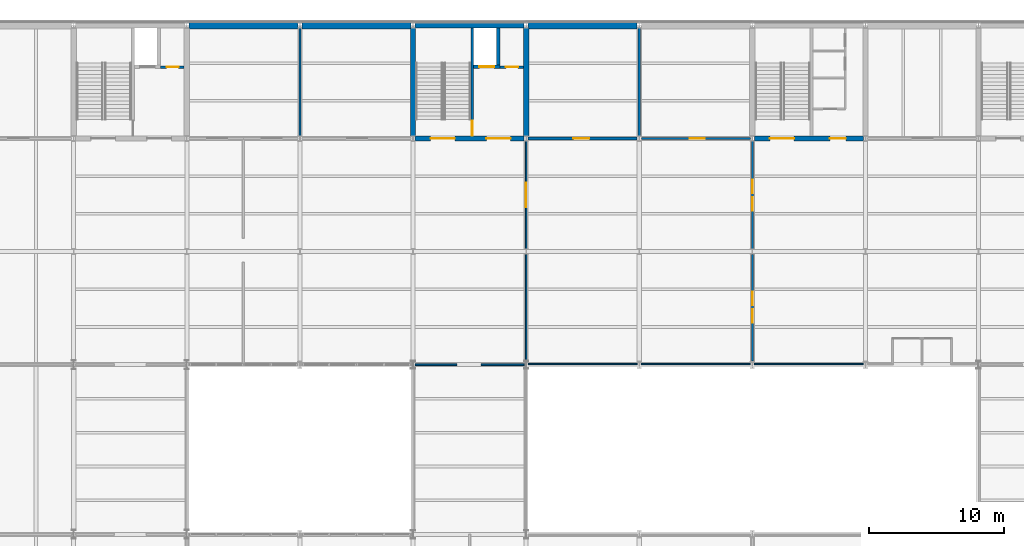
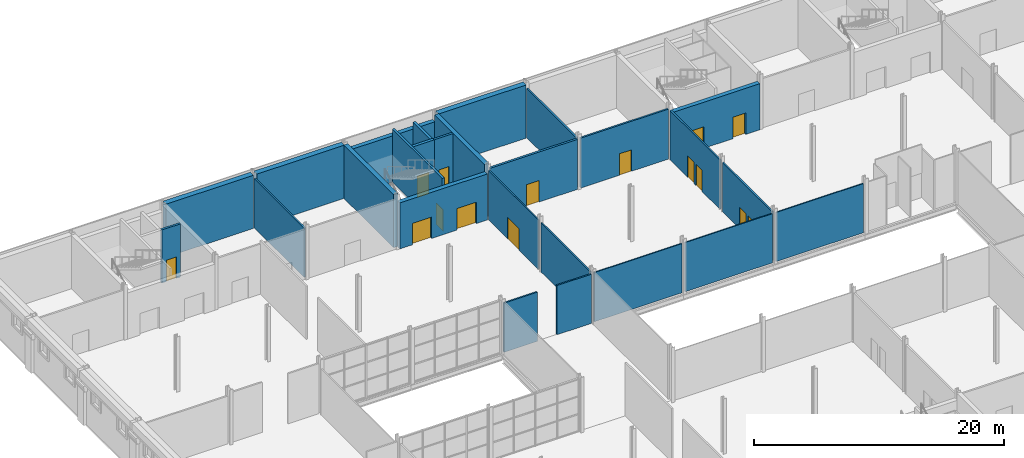
# One storey, part 31 of 57: 26 walls, 15 doors, 15 openings.
"""IFC4 building model written with IfcOpenShell, lengths in metres."""

from ifc_helpers import new_model, si_unit, direction, frame, frame_2d, origin, place, context, subcontext, project, spatial, rectangle, extrude, material, layer, layer_set, type_object, element, fill, save


model = new_model("IFC4")

# Units and contexts
model_context = context("Model", 3, precision=1e-05, world=origin(), true_north=direction((0.0, 1.0)))
body_context = subcontext(model_context, "Body", "Model", "MODEL_VIEW")
ifc_project = project(units=[si_unit("LENGTHUNIT", "METRE"), si_unit("AREAUNIT", "SQUARE_METRE"), si_unit("VOLUMEUNIT", "CUBIC_METRE"), si_unit("PLANEANGLEUNIT", "RADIAN"), si_unit("MASSUNIT", "GRAM", prefix="KILO")], contexts=[model_context])

# Site, building, storey
site_placement = place(None, origin())
site = spatial("IfcSite", under=ifc_project, at=site_placement, CompositionType="ELEMENT")
building_placement = place(site_placement, origin())
building = spatial("IfcBuilding", under=site, at=building_placement, Name="Galleria Vessillo Department Store", CompositionType="ELEMENT")
storey_placement = place(building_placement, frame((0.0, 0.0, 25.800048828125)))
storey = spatial("IfcBuildingStorey", under=building, at=storey_placement, Name="L05", CompositionType="ELEMENT", Elevation=25.800048828125)

# Wall
ifc_material_1 = material(Name="Insulated steel panel", Category="steel")
ifc_layer_1 = layer(ifc_material_1, 0.159912109375)
ifc_layer_set_1 = layer_set([ifc_layer_1], Name="Insulated steel panel")
wall_type_1 = type_object("IfcWallType", Name="Cold store insulated panel wall 160 mm", PredefinedType="PARTITIONING", material=ifc_layer_set_1)
wall_1_placement = place(storey_placement, frame((50.39990234375, 54.800048828125, 0.0), z_axis=(0.0, 0.0, 1.0), x_axis=(0.0, 1.0, 0.0)))
element("IfcWall", 1, at=wall_1_placement, inside=storey, type_object=wall_type_1, Name="Partition wall PT5 on L05 no. 030", PredefinedType="PARTITIONING", context=body_context, shape_type="SweptSolid", body=[
    extrude(rectangle(XDim=8.0, YDim=0.159912109375, at=frame_2d((4.0, 0.0))), origin(), (0.0, 0.0, 1.0), 4.809814453125),
])

# Wall, opening, door
wall_2_placement = place(storey_placement, frame((50.5498046875, 54.60009765625, 0.0), z_axis=(0.0, 0.0, 1.0), x_axis=(1.0, 0.0, 0.0)))
wall_2 = element("IfcWall", 2, at=wall_2_placement, inside=storey, type_object=wall_type_1, Name="Partition wall PT5 on L05 no. 032", PredefinedType="PARTITIONING", context=body_context, shape_type="SweptSolid", body=[
    extrude(rectangle(XDim=8.100341796875, YDim=0.159912109375, at=frame_2d((4.05029296875, 0.0))), origin(), (0.0, 0.0, 1.0), 4.889892578125),
])
opening_1_placement = place(wall_2_placement, frame((3.60009765625, 0.0, 0.0)))
opening_1 = element("IfcOpeningElement", 3, at=opening_1_placement, cuts=wall_2, Name="Opening D2721", PredefinedType="OPENING", context=body_context, shape_type="SweptSolid", body=[
    extrude(rectangle(XDim=1.10009765625, YDim=2.10009765625, at=frame_2d((0.550048828125, 1.050048828125))), frame((0.0, 0.08984375, 0.0), z_axis=(0.0, -1.0, 0.0), x_axis=(1.0, 0.0, 0.0)), (0.0, 0.0, 1.0), 0.179931640625),
])
ifc_material_2 = material(Name="Steel fire door leaf", Category="steel")
door_type_1 = type_object("IfcDoorType", Name="Cold store insulated fire door 1100", OperationType="SINGLE_SWING_LEFT", PredefinedType="DOOR", material=ifc_material_2)
door_1_placement = place(opening_1_placement, origin())
door_1 = element("IfcDoor", 4, at=door_1_placement, inside=storey, type_object=door_type_1, Name="Door D2721", OperationType="SINGLE_SWING_RIGHT", OverallHeight=2.10009765625, OverallWidth=1.10009765625, PredefinedType="DOOR", context=body_context, shape_type="SweptSolid", body=[
    extrude(rectangle(XDim=1.10009765625, YDim=2.10009765625, at=frame_2d((0.550048828125, 1.050048828125))), frame((0.0, 0.02490234375, 0.0), z_axis=(0.0, -1.0, 0.0), x_axis=(1.0, 0.0, 0.0)), (0.0, 0.0, 1.0), 0.050048828125),
])
fill(opening_1, door_1)

# Wall, openings, doors
ifc_material_3 = material(Name="Concrete blockwork", Category="masonry")
ifc_layer_2 = layer(ifc_material_3, 0.14990234375)
ifc_layer_set_2 = layer_set([ifc_layer_2], Name="Concrete blockwork")
wall_type_2 = type_object("IfcWallType", Name="Fire-resisting dividing wall EI 120 150 mm", PredefinedType="SOLIDWALL", material=ifc_layer_set_2)
wall_3_placement = place(storey_placement, frame((58.800048828125, 38.06201171875, 0.0), z_axis=(0.0, 0.0, 1.0), x_axis=(0.0, 1.0, 0.0)))
wall_3 = element("IfcWall", 5, at=wall_3_placement, inside=storey, type_object=wall_type_2, Name="Partition wall PT12 on L05 no. 065", PredefinedType="SOLIDWALL", context=body_context, shape_type="SweptSolid", body=[
    extrude(rectangle(XDim=7.93798828125, YDim=0.14990234375, at=frame_2d((3.968994140625, 0.0))), origin(), (0.0, 0.0, 1.0), 4.809814453125),
])
opening_2_placement = place(wall_3_placement, frame((2.85009765625, 0.0, 0.0)))
opening_2 = element("IfcOpeningElement", 6, at=opening_2_placement, cuts=wall_3, Name="Opening D2730", PredefinedType="OPENING", context=body_context, shape_type="SweptSolid", body=[
    extrude(rectangle(XDim=1.0, YDim=2.10009765625, at=frame_2d((0.5, 1.050048828125))), frame((0.0, 0.0849609375, 0.0), z_axis=(0.0, -1.0, 0.0), x_axis=(1.0, 0.0, 0.0)), (0.0, 0.0, 1.0), 0.169921875),
])
opening_3_placement = place(wall_3_placement, frame((4.14990234375, 0.0, 0.0)))
opening_3 = element("IfcOpeningElement", 7, at=opening_3_placement, cuts=wall_3, Name="Opening D2731", PredefinedType="OPENING", context=body_context, shape_type="SweptSolid", body=[
    extrude(rectangle(XDim=1.0, YDim=2.10009765625, at=frame_2d((0.5, 1.050048828125))), frame((0.0, 0.0849609375, 0.0), z_axis=(0.0, -1.0, 0.0), x_axis=(1.0, 0.0, 0.0)), (0.0, 0.0, 1.0), 0.169921875),
])
ifc_material_4 = material(Name="Steel fire door leaf", Category="steel")
door_type_2 = type_object("IfcDoorType", Name="Fire door EI2 120-Sa 1000 single leaf", OperationType="SINGLE_SWING_LEFT", PredefinedType="DOOR", material=ifc_material_4)
door_2_placement = place(opening_2_placement, origin())
door_2 = element("IfcDoor", 8, at=door_2_placement, inside=storey, type_object=door_type_2, Name="Door D2730", OperationType="SINGLE_SWING_LEFT", OverallHeight=2.10009765625, OverallWidth=1.0, PredefinedType="DOOR", context=body_context, shape_type="SweptSolid", body=[
    extrude(rectangle(XDim=1.0, YDim=2.10009765625, at=frame_2d((0.5, 1.050048828125))), frame((0.0, 0.02490234375, 0.0), z_axis=(0.0, -1.0, 0.0), x_axis=(1.0, 0.0, 0.0)), (0.0, 0.0, 1.0), 0.050048828125),
])
fill(opening_2, door_2)
door_3_placement = place(opening_3_placement, frame((1.0, 0.0, 0.0), z_axis=(0.0, 0.0, 1.0), x_axis=(-1.0, 0.0, 0.0)))
door_3 = element("IfcDoor", 9, at=door_3_placement, inside=storey, type_object=door_type_2, Name="Door D2731", OperationType="SINGLE_SWING_RIGHT", OverallHeight=2.10009765625, OverallWidth=1.0, PredefinedType="DOOR", context=body_context, shape_type="SweptSolid", body=[
    extrude(rectangle(XDim=1.0, YDim=2.10009765625, at=frame_2d((0.5, 1.050048828125))), frame((0.0, 0.02490234375, 0.0), z_axis=(0.0, -1.0, 0.0), x_axis=(1.0, 0.0, 0.0)), (0.0, 0.0, 1.0), 0.050048828125),
])
fill(opening_3, door_3)

wall_4_placement = place(storey_placement, frame((58.800048828125, 46.39990234375, 0.0), z_axis=(0.0, 0.0, 1.0), x_axis=(0.0, 1.0, 0.0)))
wall_4 = element("IfcWall", 10, at=wall_4_placement, inside=storey, type_object=wall_type_2, Name="Partition wall PT12 on L05 no. 066", PredefinedType="SOLIDWALL", context=body_context, shape_type="SweptSolid", body=[
    extrude(rectangle(XDim=8.000244140625, YDim=0.14990234375, at=frame_2d((4.0, 0.0))), origin(), (0.0, 0.0, 1.0), 4.809814453125),
])
opening_4_placement = place(wall_4_placement, frame((2.85009765625, 0.0, 0.0)))
opening_4 = element("IfcOpeningElement", 11, at=opening_4_placement, cuts=wall_4, Name="Opening D2732", PredefinedType="OPENING", context=body_context, shape_type="SweptSolid", body=[
    extrude(rectangle(XDim=1.0, YDim=2.10009765625, at=frame_2d((0.5, 1.050048828125))), frame((0.0, 0.0849609375, 0.0), z_axis=(0.0, -1.0, 0.0), x_axis=(1.0, 0.0, 0.0)), (0.0, 0.0, 1.0), 0.169921875),
])
opening_5_placement = place(wall_4_placement, frame((4.14990234375, 0.0, 0.0)))
opening_5 = element("IfcOpeningElement", 12, at=opening_5_placement, cuts=wall_4, Name="Opening D2733", PredefinedType="OPENING", context=body_context, shape_type="SweptSolid", body=[
    extrude(rectangle(XDim=1.0, YDim=2.10009765625, at=frame_2d((0.5, 1.050048828125))), frame((0.0, 0.0849609375, 0.0), z_axis=(0.0, -1.0, 0.0), x_axis=(1.0, 0.0, 0.0)), (0.0, 0.0, 1.0), 0.169921875),
])
door_4_placement = place(opening_4_placement, origin())
door_4 = element("IfcDoor", 13, at=door_4_placement, inside=storey, type_object=door_type_2, Name="Door D2732", OperationType="SINGLE_SWING_RIGHT", OverallHeight=2.10009765625, OverallWidth=1.0, PredefinedType="DOOR", context=body_context, shape_type="SweptSolid", body=[
    extrude(rectangle(XDim=1.0, YDim=2.10009765625, at=frame_2d((0.5, 1.050048828125))), frame((0.0, 0.02490234375, 0.0), z_axis=(0.0, -1.0, 0.0), x_axis=(1.0, 0.0, 0.0)), (0.0, 0.0, 1.0), 0.050048828125),
])
fill(opening_4, door_4)
door_5_placement = place(opening_5_placement, frame((1.0, 0.0, 0.0), z_axis=(0.0, 0.0, 1.0), x_axis=(-1.0, 0.0, 0.0)))
door_5 = element("IfcDoor", 14, at=door_5_placement, inside=storey, type_object=door_type_2, Name="Door D2733", OperationType="SINGLE_SWING_LEFT", OverallHeight=2.10009765625, OverallWidth=1.0, PredefinedType="DOOR", context=body_context, shape_type="SweptSolid", body=[
    extrude(rectangle(XDim=1.0, YDim=2.10009765625, at=frame_2d((0.5, 1.050048828125))), frame((0.0, 0.02490234375, 0.0), z_axis=(0.0, -1.0, 0.0), x_axis=(1.0, 0.0, 0.0)), (0.0, 0.0, 1.0), 0.050048828125),
])
fill(opening_5, door_5)

# Walls
ifc_material_5 = material(Name="Fire-resisting glass in steel frame S355 J2", Category="steel")
ifc_layer_3 = layer(ifc_material_5, 0.10009765625)
ifc_layer_set_3 = layer_set([ifc_layer_3], Name="Fire-resisting glass in steel frame S355 J2")
wall_type_3 = type_object("IfcWallType", Name="Fire-resisting glazed screen EI 120-Sa 100 mm", PredefinedType="PARTITIONING", material=ifc_layer_set_3)
wall_5_placement = place(storey_placement, frame((42.152587890625, 37.85009765625, 0.0), z_axis=(0.0, 0.0, 1.0), x_axis=(1.0, 0.0, 0.0)))
element("IfcWall", 15, at=wall_5_placement, inside=storey, type_object=wall_type_3, Name="Fire screen, atrium edge L05", PredefinedType="PARTITIONING", context=body_context, shape_type="SweptSolid", body=[
    extrude(rectangle(XDim=8.094482421875, YDim=0.10009765625, at=frame_2d((4.04736328125, 0.0))), origin(), (0.0, 0.0, 1.0), 4.809814453125),
])
wall_6_placement = place(storey_placement, frame((50.552978515625, 37.85009765625, 0.0), z_axis=(0.0, 0.0, 1.0), x_axis=(1.0, 0.0, 0.0)))
element("IfcWall", 16, at=wall_6_placement, inside=storey, type_object=wall_type_3, Name="Fire screen, atrium edge L05", PredefinedType="PARTITIONING", context=body_context, shape_type="SweptSolid", body=[
    extrude(rectangle(XDim=8.093994140625, YDim=0.10009765625, at=frame_2d((4.046875, 0.0))), origin(), (0.0, 0.0, 1.0), 4.809814453125),
])
wall_7_placement = place(storey_placement, frame((58.952880859375, 37.85009765625, 0.0), z_axis=(0.0, 0.0, 1.0), x_axis=(1.0, 0.0, 0.0)))
element("IfcWall", 17, at=wall_7_placement, inside=storey, type_object=wall_type_3, Name="Fire screen, atrium edge L05", PredefinedType="PARTITIONING", context=body_context, shape_type="SweptSolid", body=[
    extrude(rectangle(XDim=8.09423828125, YDim=0.10009765625, at=frame_2d((4.047119140625, 0.0))), origin(), (0.0, 0.0, 1.0), 4.809814453125),
])

# Wall, opening, door
ifc_material_6 = material(Name="Concrete blockwork", Category="masonry")
ifc_layer_4 = layer(ifc_material_6, 0.199951171875)
ifc_layer_set_4 = layer_set([ifc_layer_4], Name="Concrete blockwork")
wall_type_4 = type_object("IfcWallType", Name="Kitchen blockwork wall 200 mm", PredefinedType="SOLIDWALL", material=ifc_layer_set_4)
wall_8_placement = place(storey_placement, frame((42.14990234375, 54.60009765625, 0.0), z_axis=(0.0, 0.0, 1.0), x_axis=(1.0, 0.0, 0.0)))
wall_8 = element("IfcWall", 18, at=wall_8_placement, inside=storey, type_object=wall_type_4, Name="Partition wall PT8 on L05 no. 031", PredefinedType="SOLIDWALL", context=body_context, shape_type="SweptSolid", body=[
    extrude(rectangle(XDim=8.10009765625, YDim=0.199951171875, at=frame_2d((4.050048828125, 0.0))), origin(), (0.0, 0.0, 1.0), 4.889892578125),
])
opening_6_placement = place(wall_8_placement, frame((3.35009765625, 0.0, 0.0)))
opening_6 = element("IfcOpeningElement", 19, at=opening_6_placement, cuts=wall_8, Name="Opening D2720", PredefinedType="OPENING", context=body_context, shape_type="SweptSolid", body=[
    extrude(rectangle(XDim=1.199951171875, YDim=2.10009765625, at=frame_2d((0.60009765625, 1.050048828125))), frame((0.0, 0.10986328125, 0.0), z_axis=(0.0, -1.0, 0.0), x_axis=(1.0, 0.0, 0.0)), (0.0, 0.0, 1.0), 0.219970703125),
])
ifc_material_7 = material(Name="Steel fire door leaf", Category="steel")
door_type_3 = type_object("IfcDoorType", Name="Kitchen fire door 1200", OperationType="SINGLE_SWING_LEFT", PredefinedType="DOOR", material=ifc_material_7)
door_6_placement = place(opening_6_placement, origin())
door_6 = element("IfcDoor", 20, at=door_6_placement, inside=storey, type_object=door_type_3, Name="Door D2720", OperationType="SINGLE_SWING_LEFT", OverallHeight=2.10009765625, OverallWidth=1.199951171875, PredefinedType="DOOR", context=body_context, shape_type="SweptSolid", body=[
    extrude(rectangle(XDim=1.199951171875, YDim=2.10009765625, at=frame_2d((0.60009765625, 1.050048828125))), frame((0.0, 0.02490234375, 0.0), z_axis=(0.0, -1.0, 0.0), x_axis=(1.0, 0.0, 0.0)), (0.0, 0.0, 1.0), 0.050048828125),
])
fill(opening_6, door_6)

ifc_material_8 = material(Name="Solid clay block masonry", Category="masonry")
ifc_layer_5 = layer(ifc_material_8, 0.25)
ifc_layer_set_5 = layer_set([ifc_layer_5], Name="Solid clay block masonry")
wall_type_5 = type_object("IfcWallType", Name="Lift shaft wall 250 mm", PredefinedType="SOLIDWALL", material=ifc_layer_set_5)
wall_9_placement = place(storey_placement, frame((38.10009765625, 59.925048828125, 0.0), z_axis=(0.0, 0.0, 1.0), x_axis=(1.0, 0.0, 0.0)))
wall_9 = element("IfcWall", 21, at=wall_9_placement, inside=storey, type_object=wall_type_5, Name="Lift shaft wall LP4 landing side L05", PredefinedType="SOLIDWALL", context=body_context, shape_type="SweptSolid", body=[
    extrude(rectangle(XDim=1.949951171875, YDim=0.25, at=frame_2d((0.97509765625, 0.0))), origin(), (0.0, 0.0, 1.0), 5.199951171875),
])
opening_7_placement = place(wall_9_placement, frame((0.4248046875, 0.0, 0.0)))
opening_7 = element("IfcOpeningElement", 22, at=opening_7_placement, cuts=wall_9, Name="Opening LD032", PredefinedType="OPENING", context=body_context, shape_type="SweptSolid", body=[
    extrude(rectangle(XDim=1.10009765625, YDim=2.10009765625, at=frame_2d((0.550048828125, 1.050048828125))), frame((0.0, 0.135009765625, 0.0), z_axis=(0.0, -1.0, 0.0), x_axis=(1.0, 0.0, 0.0)), (0.0, 0.0, 1.0), 0.27001953125),
])
ifc_material_9 = material(Name="Stainless steel lift door panel", Category="steel")
door_type_4 = type_object("IfcDoorType", Name="Lift landing door LD110 sliding 1100 x 2100", OperationType="SLIDING_TO_LEFT", PredefinedType="DOOR", material=ifc_material_9)
door_7_placement = place(opening_7_placement, frame((1.10009765625, 0.0, 0.0), z_axis=(0.0, 0.0, 1.0), x_axis=(-1.0, 0.0, 0.0)))
door_7 = element("IfcDoor", 23, at=door_7_placement, inside=storey, type_object=door_type_4, Name="Lift landing door LP4 L05", OperationType="SLIDING_TO_RIGHT", OverallHeight=2.10009765625, OverallWidth=1.10009765625, PredefinedType="DOOR", context=body_context, shape_type="SweptSolid", body=[
    extrude(rectangle(XDim=1.10009765625, YDim=2.10009765625, at=frame_2d((0.550048828125, 1.050048828125))), frame((0.0, 0.02490234375, 0.0), z_axis=(0.0, -1.0, 0.0), x_axis=(1.0, 0.0, 0.0)), (0.0, 0.0, 1.0), 0.050048828125),
])
fill(opening_7, door_7)

# Walls
wall_10_placement = place(storey_placement, frame((39.925048828125, 62.800048828125, 0.0), z_axis=(0.0, 0.0, 1.0), x_axis=(0.0, -1.0, 0.0)))
element("IfcWall", 24, at=wall_10_placement, inside=storey, type_object=wall_type_5, Name="Lift shaft wall LP4 L05", PredefinedType="SOLIDWALL", context=body_context, shape_type="SweptSolid", body=[
    extrude(rectangle(XDim=2.75, YDim=0.25, at=frame_2d((1.375, 0.0))), origin(), (0.0, 0.0, 1.0), 5.199951171875),
])
ifc_material_10 = material(Name="Gypsum board partition")
ifc_layer_6 = layer(ifc_material_10, 0.125)
ifc_layer_set_6 = layer_set([ifc_layer_6], Name="Gypsum board partition")
wall_type_6 = type_object("IfcWallType", Name="Office partition 125 mm", PredefinedType="PARTITIONING", material=ifc_layer_set_6)
wall_11_placement = place(storey_placement, frame((42.0, 38.110107421875, 0.0), z_axis=(0.0, 0.0, 1.0), x_axis=(0.0, 1.0, 0.0)))
element("IfcWall", 25, at=wall_11_placement, inside=storey, type_object=wall_type_6, Name="Partition wall PT2 on L05 no. 061", PredefinedType="PARTITIONING", context=body_context, shape_type="SweptSolid", body=[
    extrude(rectangle(XDim=7.889892578125, YDim=0.125, at=frame_2d((3.94482421875, 0.0))), origin(), (0.0, 0.0, 1.0), 4.809814453125),
])

# Wall, opening, door
wall_12_placement = place(storey_placement, frame((42.0, 46.39990234375, 0.0), z_axis=(0.0, 0.0, 1.0), x_axis=(0.0, 1.0, 0.0)))
wall_12 = element("IfcWall", 26, at=wall_12_placement, inside=storey, type_object=wall_type_6, Name="Partition wall PT2 on L05 no. 062", PredefinedType="PARTITIONING", context=body_context, shape_type="SweptSolid", body=[
    extrude(rectangle(XDim=8.000244140625, YDim=0.125, at=frame_2d((4.0, 0.0))), origin(), (0.0, 0.0, 1.0), 4.809814453125),
])
opening_8_placement = place(wall_12_placement, frame((3.10009765625, 0.0, 0.0)))
opening_8 = element("IfcOpeningElement", 27, at=opening_8_placement, cuts=wall_12, Name="Opening D2729", PredefinedType="OPENING", context=body_context, shape_type="SweptSolid", body=[
    extrude(rectangle(XDim=1.800048828125, YDim=2.10009765625, at=frame_2d((0.89990234375, 1.050048828125))), frame((0.0, 0.072509765625, 0.0), z_axis=(0.0, -1.0, 0.0), x_axis=(1.0, 0.0, 0.0)), (0.0, 0.0, 1.0), 0.14501953125),
])
ifc_material_11 = material(Name="Timber and glass door leaf", Category="wood")
door_type_5 = type_object("IfcDoorType", Name="Floor door 1800 double leaf", OperationType="DOUBLE_DOOR_SINGLE_SWING", PredefinedType="DOOR", material=ifc_material_11)
door_8_placement = place(opening_8_placement, origin())
door_8 = element("IfcDoor", 28, at=door_8_placement, inside=storey, type_object=door_type_5, Name="Door D2729", OperationType="DOUBLE_DOOR_SINGLE_SWING", OverallHeight=2.10009765625, OverallWidth=1.800048828125, PredefinedType="DOOR", context=body_context, shape_type="SweptSolid", body=[
    extrude(rectangle(XDim=1.800048828125, YDim=2.10009765625, at=frame_2d((0.89990234375, 1.050048828125))), frame((0.0, 0.02490234375, 0.0), z_axis=(0.0, -1.0, 0.0), x_axis=(1.0, 0.0, 0.0)), (0.0, 0.0, 1.0), 0.050048828125),
])
fill(opening_8, door_8)

# Wall, openings, doors
ifc_material_12 = material(Name="Concrete C32/40 reinforced", Category="concrete")
ifc_layer_7 = layer(ifc_material_12, 0.39990234375)
ifc_layer_set_7 = layer_set([ifc_layer_7], Name="Concrete C32/40 reinforced")
wall_type_7 = type_object("IfcWallType", Name="Reinforced concrete core wall 400 mm", PredefinedType="SHEAR", material=ifc_layer_set_7)
wall_13_placement = place(storey_placement, frame((33.75, 54.60009765625, 0.0), z_axis=(0.0, 0.0, 1.0), x_axis=(1.0, 0.0, 0.0)))
wall_13 = element("IfcWall", 29, at=wall_13_placement, inside=storey, type_object=wall_type_7, Name="S-CW-PC-NM-INTERIOR-L05", PredefinedType="SHEAR", context=body_context, shape_type="SweptSolid", body=[
    extrude(rectangle(XDim=8.10009765625, YDim=0.39990234375, at=frame_2d((4.050048828125, 0.0))), origin(), (0.0, 0.0, 1.0), 4.510009765625),
])
opening_9_placement = place(wall_13_placement, frame((1.14990234375, 0.0, 0.0)))
opening_9 = element("IfcOpeningElement", 30, at=opening_9_placement, cuts=wall_13, Name="Opening D5125", PredefinedType="OPENING", context=body_context, shape_type="SweptSolid", body=[
    extrude(rectangle(XDim=1.800048828125, YDim=2.10009765625, at=frame_2d((0.89990234375, 1.050048828125))), frame((0.0, 0.2099609375, 0.0), z_axis=(0.0, -1.0, 0.0), x_axis=(1.0, 0.0, 0.0)), (0.0, 0.0, 1.0), 0.419921875),
])
opening_10_placement = place(wall_13_placement, frame((5.2998046875, 0.0, 0.0)))
opening_10 = element("IfcOpeningElement", 31, at=opening_10_placement, cuts=wall_13, Name="Opening D5126", PredefinedType="OPENING", context=body_context, shape_type="SweptSolid", body=[
    extrude(rectangle(XDim=1.800048828125, YDim=2.10009765625, at=frame_2d((0.89990234375, 1.050048828125))), frame((0.0, 0.2099609375, 0.0), z_axis=(0.0, -1.0, 0.0), x_axis=(1.0, 0.0, 0.0)), (0.0, 0.0, 1.0), 0.419921875),
])
ifc_material_13 = material(Name="Fire-rated steel door leaf", Category="steel")
door_type_6 = type_object("IfcDoorType", Name="Door D180F double leaf 1800 x 2100", OperationType="DOUBLE_DOOR_SINGLE_SWING", PredefinedType="DOOR", material=ifc_material_13)
door_9_placement = place(opening_9_placement, origin())
door_9 = element("IfcDoor", 32, at=door_9_placement, inside=storey, type_object=door_type_6, Name="Lobby door PC-NM-ST-FLOOR L05", OperationType="DOUBLE_DOOR_SINGLE_SWING", OverallHeight=2.10009765625, OverallWidth=1.800048828125, PredefinedType="DOOR", context=body_context, shape_type="SweptSolid", body=[
    extrude(rectangle(XDim=1.800048828125, YDim=2.10009765625, at=frame_2d((0.89990234375, 1.050048828125))), frame((0.0, 0.02490234375, 0.0), z_axis=(0.0, -1.0, 0.0), x_axis=(1.0, 0.0, 0.0)), (0.0, 0.0, 1.0), 0.050048828125),
])
fill(opening_9, door_9)
door_10_placement = place(opening_10_placement, origin())
door_10 = element("IfcDoor", 33, at=door_10_placement, inside=storey, type_object=door_type_6, Name="Lobby door PC-NM-LOBBY-FLOOR L05", OperationType="DOUBLE_DOOR_SINGLE_SWING", OverallHeight=2.10009765625, OverallWidth=1.800048828125, PredefinedType="DOOR", context=body_context, shape_type="SweptSolid", body=[
    extrude(rectangle(XDim=1.800048828125, YDim=2.10009765625, at=frame_2d((0.89990234375, 1.050048828125))), frame((0.0, 0.02490234375, 0.0), z_axis=(0.0, -1.0, 0.0), x_axis=(1.0, 0.0, 0.0)), (0.0, 0.0, 1.0), 0.050048828125),
])
fill(opening_10, door_10)

# Walls
for number, where, z_axis, x_axis, name in (
    (34, (33.60009765625, 54.800048828125, 0.0), (0.0, 0.0, 1.0), (0.0, 1.0, 0.0), "S-CW-PC-NM-WEST-L05"),
    (35, (42.0, 54.800048828125, 0.0), (0.0, 0.0, 1.0), (0.0, 1.0, 0.0), "S-CW-PC-NM-EAST-L05"),
):
    element("IfcWall", number, at=place(storey_placement, frame(where, z_axis=z_axis, x_axis=x_axis)), inside=storey, type_object=wall_type_7, Name=name, PredefinedType="SHEAR", context=body_context, shape_type="SweptSolid", body=[
        extrude(rectangle(XDim=8.0, YDim=0.39990234375, at=frame_2d((4.0, 0.0))), origin(), (0.0, 0.0, 1.0), 5.199951171875),
    ])

# Wall, openings, doors
wall_14_placement = place(storey_placement, frame((58.949951171875, 54.60009765625, 0.0), z_axis=(0.0, 0.0, 1.0), x_axis=(1.0, 0.0, 0.0)))
wall_14 = element("IfcWall", 36, at=wall_14_placement, inside=storey, type_object=wall_type_7, Name="S-CW-PC-NC-INTERIOR-L05", PredefinedType="SHEAR", context=body_context, shape_type="SweptSolid", body=[
    extrude(rectangle(XDim=8.10009765625, YDim=0.39990234375, at=frame_2d((4.050048828125, 0.0))), origin(), (0.0, 0.0, 1.0), 4.510009765625),
])
opening_11_placement = place(wall_14_placement, frame((1.14990234375, 0.0, 0.0)))
opening_11 = element("IfcOpeningElement", 37, at=opening_11_placement, cuts=wall_14, Name="Opening D5217", PredefinedType="OPENING", context=body_context, shape_type="SweptSolid", body=[
    extrude(rectangle(XDim=1.800048828125, YDim=2.10009765625, at=frame_2d((0.89990234375, 1.050048828125))), frame((0.0, 0.2099609375, 0.0), z_axis=(0.0, -1.0, 0.0), x_axis=(1.0, 0.0, 0.0)), (0.0, 0.0, 1.0), 0.419921875),
])
opening_12_placement = place(wall_14_placement, frame((5.599853515625, 0.0, 0.0)))
opening_12 = element("IfcOpeningElement", 38, at=opening_12_placement, cuts=wall_14, Name="Opening D5218", PredefinedType="OPENING", context=body_context, shape_type="SweptSolid", body=[
    extrude(rectangle(XDim=1.199951171875, YDim=2.10009765625, at=frame_2d((0.60009765625, 1.050048828125))), frame((0.0, 0.2099609375, 0.0), z_axis=(0.0, -1.0, 0.0), x_axis=(1.0, 0.0, 0.0)), (0.0, 0.0, 1.0), 0.419921875),
])
ifc_material_14 = material(Name="Fire-rated steel door leaf", Category="steel")
door_type_7 = type_object("IfcDoorType", Name="Door D120F fire door 1200 x 2100", OperationType="SINGLE_SWING_LEFT", PredefinedType="DOOR", material=ifc_material_14)
door_11_placement = place(opening_12_placement, origin())
door_11 = element("IfcDoor", 39, at=door_11_placement, inside=storey, type_object=door_type_7, Name="Lobby door PC-NC-WC-FLOOR L05", OperationType="SINGLE_SWING_LEFT", OverallHeight=2.10009765625, OverallWidth=1.199951171875, PredefinedType="DOOR", context=body_context, shape_type="SweptSolid", body=[
    extrude(rectangle(XDim=1.199951171875, YDim=2.10009765625, at=frame_2d((0.60009765625, 1.050048828125))), frame((0.0, 0.02490234375, 0.0), z_axis=(0.0, -1.0, 0.0), x_axis=(1.0, 0.0, 0.0)), (0.0, 0.0, 1.0), 0.050048828125),
])
fill(opening_12, door_11)
door_12_placement = place(opening_11_placement, origin())
door_12 = element("IfcDoor", 40, at=door_12_placement, inside=storey, type_object=door_type_6, Name="Lobby door PC-NC-ST-FLOOR L05", OperationType="DOUBLE_DOOR_SINGLE_SWING", OverallHeight=2.10009765625, OverallWidth=1.800048828125, PredefinedType="DOOR", context=body_context, shape_type="SweptSolid", body=[
    extrude(rectangle(XDim=1.800048828125, YDim=2.10009765625, at=frame_2d((0.89990234375, 1.050048828125))), frame((0.0, 0.02490234375, 0.0), z_axis=(0.0, -1.0, 0.0), x_axis=(1.0, 0.0, 0.0)), (0.0, 0.0, 1.0), 0.050048828125),
])
fill(opening_11, door_12)

# Walls
ifc_material_15 = material(Name="Concrete C32/40 reinforced", Category="concrete")
ifc_layer_8 = layer(ifc_material_15, 0.39990234375)
ifc_layer_set_8 = layer_set([ifc_layer_8], Name="Concrete C32/40 reinforced")
wall_type_8 = type_object("IfcWallType", Name="Reinforced concrete core wall 400 mm, external", PredefinedType="SHEAR", material=ifc_layer_set_8)
wall_15_placement = place(storey_placement, frame((33.75, 63.0, 0.0), z_axis=(0.0, 0.0, 1.0), x_axis=(1.0, 0.0, 0.0)))
element("IfcWall", 41, at=wall_15_placement, inside=storey, type_object=wall_type_8, Name="S-CW-PC-NM-PARTY-L05", PredefinedType="SHEAR", context=body_context, shape_type="SweptSolid", body=[
    extrude(rectangle(XDim=8.10009765625, YDim=0.39990234375, at=frame_2d((4.050048828125, 0.0))), origin(), (0.0, 0.0, 1.0), 4.510009765625),
])
ifc_material_16 = material(Name="Concrete C32/40 reinforced", Category="concrete")
ifc_layer_9 = layer(ifc_material_16, 0.5)
ifc_layer_set_9 = layer_set([ifc_layer_9], Name="Concrete C32/40 reinforced")
wall_type_9 = type_object("IfcWallType", Name="Reinforced concrete party wall 500 mm", PredefinedType="SHEAR", material=ifc_layer_set_9)
wall_16_placement = place(storey_placement, frame((16.949951171875, 63.0, 0.0), z_axis=(0.0, 0.0, 1.0), x_axis=(1.0, 0.0, 0.0)))
element("IfcWall", 42, at=wall_16_placement, inside=storey, type_object=wall_type_9, Name="S-PN-L05-02", PredefinedType="SHEAR", context=body_context, shape_type="SweptSolid", body=[
    extrude(rectangle(XDim=8.10009765625, YDim=0.5, at=frame_2d((4.050048828125, 0.0))), origin(), (0.0, 0.0, 1.0), 5.199951171875),
])
wall_17_placement = place(storey_placement, frame((25.349853515625, 63.0, 0.0), z_axis=(0.0, 0.0, 1.0), x_axis=(1.0, 0.0, 0.0)))
element("IfcWall", 43, at=wall_17_placement, inside=storey, type_object=wall_type_9, Name="S-PN-L05-03", PredefinedType="SHEAR", context=body_context, shape_type="SweptSolid", body=[
    extrude(rectangle(XDim=8.100341796875, YDim=0.5, at=frame_2d((4.05029296875, 0.0))), origin(), (0.0, 0.0, 1.0), 5.199951171875),
])
wall_18_placement = place(storey_placement, frame((42.14990234375, 63.0, 0.0), z_axis=(0.0, 0.0, 1.0), x_axis=(1.0, 0.0, 0.0)))
element("IfcWall", 44, at=wall_18_placement, inside=storey, type_object=wall_type_9, Name="S-PN-L05-04", PredefinedType="SHEAR", context=body_context, shape_type="SweptSolid", body=[
    extrude(rectangle(XDim=8.10009765625, YDim=0.5, at=frame_2d((4.050048828125, 0.0))), origin(), (0.0, 0.0, 1.0), 5.199951171875),
])

# Wall, opening, door
ifc_material_17 = material(Name="Concrete C32/40 reinforced", Category="concrete")
ifc_layer_10 = layer(ifc_material_17, 0.199951171875)
ifc_layer_set_10 = layer_set([ifc_layer_10], Name="Concrete C32/40 reinforced")
wall_type_10 = type_object("IfcWallType", Name="Reinforced concrete stair enclosure wall 200 mm", PredefinedType="SHEAR", material=ifc_layer_set_10)
wall_19_placement = place(storey_placement, frame((38.0, 62.800048828125, 0.0), z_axis=(0.0, 0.0, 1.0), x_axis=(0.0, -1.0, 0.0)))
wall_19 = element("IfcWall", 45, at=wall_19_placement, inside=storey, type_object=wall_type_10, Name="Stair enclosure wall PC-NM L05", PredefinedType="SHEAR", context=body_context, shape_type="SweptSolid", body=[
    extrude(rectangle(XDim=8.0, YDim=0.199951171875, at=frame_2d((4.0, 0.0))), origin(), (0.0, 0.0, 1.0), 5.199951171875),
])
opening_13_placement = place(wall_19_placement, frame((6.89990234375, 0.0, 0.0)))
opening_13 = element("IfcOpeningElement", 46, at=opening_13_placement, cuts=wall_19, Name="Opening D5123", PredefinedType="OPENING", context=body_context, shape_type="SweptSolid", body=[
    extrude(rectangle(XDim=1.11009765625, YDim=2.10009765625, at=frame_2d((0.554931640625, 1.050048828125))), frame((0.0, 0.10986328125, 0.0), z_axis=(0.0, -1.0, 0.0), x_axis=(1.0, 0.0, 0.0)), (0.0, 0.0, 1.0), 0.219970703125),
])
ifc_material_18 = material(Name="Fire-rated steel door leaf", Category="steel")
door_type_8 = type_object("IfcDoorType", Name="Door D110F stair door 1100 x 2100", OperationType="SINGLE_SWING_LEFT", PredefinedType="DOOR", material=ifc_material_18)
door_13_placement = place(opening_13_placement, frame((1.10009765625, 0.0, 0.0), z_axis=(0.0, 0.0, 1.0), x_axis=(-1.0, 0.0, 0.0)))
door_13 = element("IfcDoor", 47, at=door_13_placement, inside=storey, type_object=door_type_8, Name="Stair door PC-NM-ST-LOBBY L05", OperationType="SINGLE_SWING_LEFT", OverallHeight=2.10009765625, OverallWidth=1.10009765625, PredefinedType="DOOR", context=body_context, shape_type="SweptSolid", body=[
    extrude(rectangle(XDim=1.10009765625, YDim=2.10009765625, at=frame_2d((0.550048828125, 1.050048828125))), frame((0.0, 0.02490234375, 0.0), z_axis=(0.0, -1.0, 0.0), x_axis=(1.0, 0.0, 0.0)), (0.0, 0.0, 1.0), 0.050048828125),
])
fill(opening_13, door_13)

ifc_material_19 = material(Name="Hollow clay block masonry", Category="masonry")
ifc_layer_11 = layer(ifc_material_19, 0.199951171875)
ifc_layer_set_11 = layer_set([ifc_layer_11], Name="Hollow clay block masonry")
wall_type_11 = type_object("IfcWallType", Name="Riser and service room wall 200 mm", PredefinedType="PARTITIONING", material=ifc_layer_set_11)
wall_20_placement = place(storey_placement, frame((14.85009765625, 59.900146484375, 0.0), z_axis=(0.0, 0.0, 1.0), x_axis=(1.0, 0.0, 0.0)))
wall_20 = element("IfcWall", 48, at=wall_20_placement, inside=storey, type_object=wall_type_11, Name="Riser wall PC-NW-RISER L05", PredefinedType="PARTITIONING", context=body_context, shape_type="SweptSolid", body=[
    extrude(rectangle(XDim=1.75, YDim=0.199951171875, at=frame_2d((0.875, 0.0))), origin(), (0.0, 0.0, 1.0), 5.199951171875),
])
opening_14_placement = place(wall_20_placement, frame((0.449951171875, 0.0, 0.0)))
opening_14 = element("IfcOpeningElement", 49, at=opening_14_placement, cuts=wall_20, Name="Opening D5062", PredefinedType="OPENING", context=body_context, shape_type="SweptSolid", body=[
    extrude(rectangle(XDim=0.89990234375, YDim=2.10009765625, at=frame_2d((0.449951171875, 1.050048828125))), frame((0.0, 0.10986328125, 0.0), z_axis=(0.0, -1.0, 0.0), x_axis=(1.0, 0.0, 0.0)), (0.0, 0.0, 1.0), 0.219970703125),
])
ifc_material_20 = material(Name="Fire-rated steel door leaf", Category="steel")
door_type_9 = type_object("IfcDoorType", Name="Door DR90 riser access 900 x 2100", OperationType="SINGLE_SWING_LEFT", PredefinedType="DOOR", material=ifc_material_20)
door_14_placement = place(opening_14_placement, origin())
door_14 = element("IfcDoor", 50, at=door_14_placement, inside=storey, type_object=door_type_9, Name="Riser door PC-NW-RISER-D L05", OperationType="SINGLE_SWING_RIGHT", OverallHeight=2.10009765625, OverallWidth=0.89990234375, PredefinedType="DOOR", context=body_context, shape_type="SweptSolid", body=[
    extrude(rectangle(XDim=0.89990234375, YDim=2.10009765625, at=frame_2d((0.449951171875, 1.050048828125))), frame((0.0, 0.02490234375, 0.0), z_axis=(0.0, -1.0, 0.0), x_axis=(1.0, 0.0, 0.0)), (0.0, 0.0, 1.0), 0.050048828125),
])
fill(opening_14, door_14)

wall_21_placement = place(storey_placement, frame((40.050048828125, 59.900146484375, 0.0), z_axis=(0.0, 0.0, 1.0), x_axis=(1.0, 0.0, 0.0)))
wall_21 = element("IfcWall", 51, at=wall_21_placement, inside=storey, type_object=wall_type_11, Name="Riser wall PC-NM-RISER L05", PredefinedType="PARTITIONING", context=body_context, shape_type="SweptSolid", body=[
    extrude(rectangle(XDim=1.75, YDim=0.199951171875, at=frame_2d((0.875, 0.0))), origin(), (0.0, 0.0, 1.0), 5.199951171875),
])
opening_15_placement = place(wall_21_placement, frame((0.449951171875, 0.0, 0.0)))
opening_15 = element("IfcOpeningElement", 52, at=opening_15_placement, cuts=wall_21, Name="Opening D5124", PredefinedType="OPENING", context=body_context, shape_type="SweptSolid", body=[
    extrude(rectangle(XDim=0.89990234375, YDim=2.10009765625, at=frame_2d((0.449951171875, 1.050048828125))), frame((0.0, 0.10986328125, 0.0), z_axis=(0.0, -1.0, 0.0), x_axis=(1.0, 0.0, 0.0)), (0.0, 0.0, 1.0), 0.219970703125),
])
door_15_placement = place(opening_15_placement, origin())
door_15 = element("IfcDoor", 53, at=door_15_placement, inside=storey, type_object=door_type_9, Name="Riser door PC-NM-RISER-D L05", OperationType="SINGLE_SWING_RIGHT", OverallHeight=2.10009765625, OverallWidth=0.89990234375, PredefinedType="DOOR", context=body_context, shape_type="SweptSolid", body=[
    extrude(rectangle(XDim=0.89990234375, YDim=2.10009765625, at=frame_2d((0.449951171875, 1.050048828125))), frame((0.0, 0.02490234375, 0.0), z_axis=(0.0, -1.0, 0.0), x_axis=(1.0, 0.0, 0.0)), (0.0, 0.0, 1.0), 0.050048828125),
])
fill(opening_15, door_15)

# Walls
ifc_material_21 = material(Name="Gypsum board partition")
ifc_layer_12 = layer(ifc_material_21, 0.139892578125)
ifc_layer_set_12 = layer_set([ifc_layer_12], Name="Gypsum board partition")
wall_type_12 = type_object("IfcWallType", Name="Sales dividing wall 140 mm", PredefinedType="PARTITIONING", material=ifc_layer_set_12)
wall_22_placement = place(storey_placement, frame((33.752685546875, 37.800048828125, 0.0), z_axis=(0.0, 0.0, 1.0), x_axis=(1.0, 0.0, 0.0)))
element("IfcWall", 54, at=wall_22_placement, inside=storey, type_object=wall_type_12, Name="Partition wall PT3 on L05 no. 063", PredefinedType="PARTITIONING", context=body_context, shape_type="SweptSolid", body=[
    extrude(rectangle(XDim=3.099853515625, YDim=0.139892578125, at=frame_2d((1.5498046875, 0.0))), origin(), (0.0, 0.0, 1.0), 4.809814453125),
])
wall_23_placement = place(storey_placement, frame((38.652587890625, 37.800048828125, 0.0), z_axis=(0.0, 0.0, 1.0), x_axis=(1.0, 0.0, 0.0)))
element("IfcWall", 55, at=wall_23_placement, inside=storey, type_object=wall_type_12, Name="Partition wall PT3 on L05 no. 064", PredefinedType="PARTITIONING", context=body_context, shape_type="SweptSolid", body=[
    extrude(rectangle(XDim=3.19482421875, YDim=0.139892578125, at=frame_2d((1.597412109375, 0.0))), origin(), (0.0, 0.0, 1.0), 4.809814453125),
])
ifc_material_22 = material(Name="Concrete blockwork", Category="masonry")
ifc_layer_13 = layer(ifc_material_22, 0.14990234375)
ifc_layer_set_13 = layer_set([ifc_layer_13], Name="Concrete blockwork")
wall_type_13 = type_object("IfcWallType", Name="Stockroom blockwork wall 150 mm", PredefinedType="SOLIDWALL", material=ifc_layer_set_13)
wall_24_placement = place(storey_placement, frame((25.199951171875, 54.800048828125, 0.0), z_axis=(0.0, 0.0, 1.0), x_axis=(0.0, 1.0, 0.0)))
element("IfcWall", 56, at=wall_24_placement, inside=storey, type_object=wall_type_13, Name="Partition wall PT4 on L05 no. 026", PredefinedType="SOLIDWALL", context=body_context, shape_type="SweptSolid", body=[
    extrude(rectangle(XDim=8.0, YDim=0.14990234375, at=frame_2d((4.0, 0.0))), origin(), (0.0, 0.0, 1.0), 4.809814453125),
])

save(model, "model.ifc")
